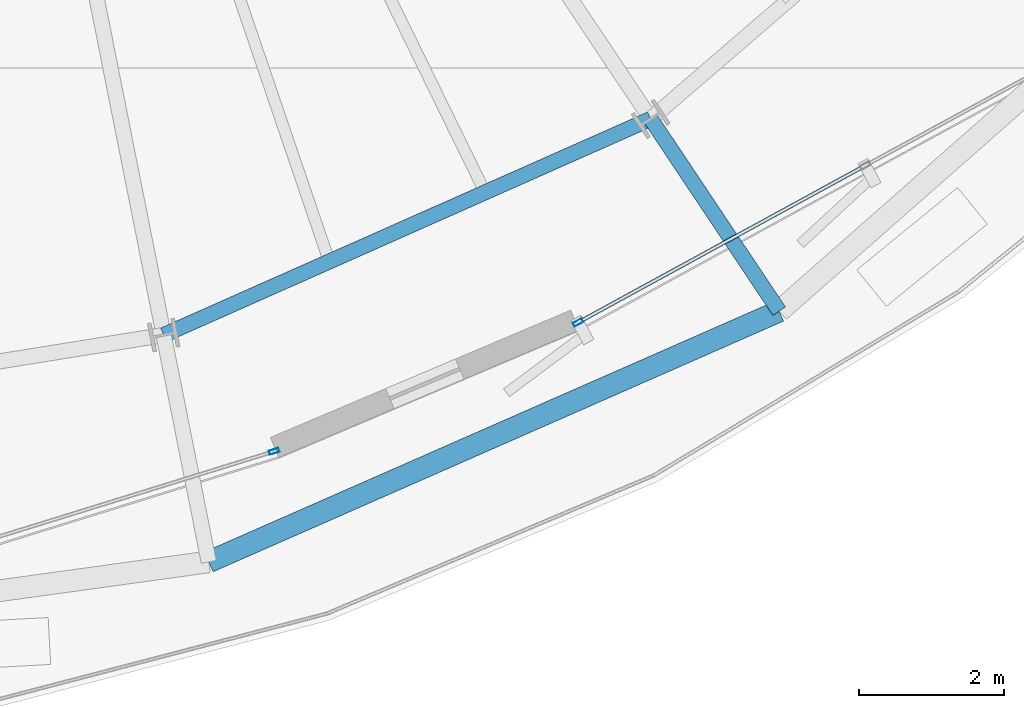
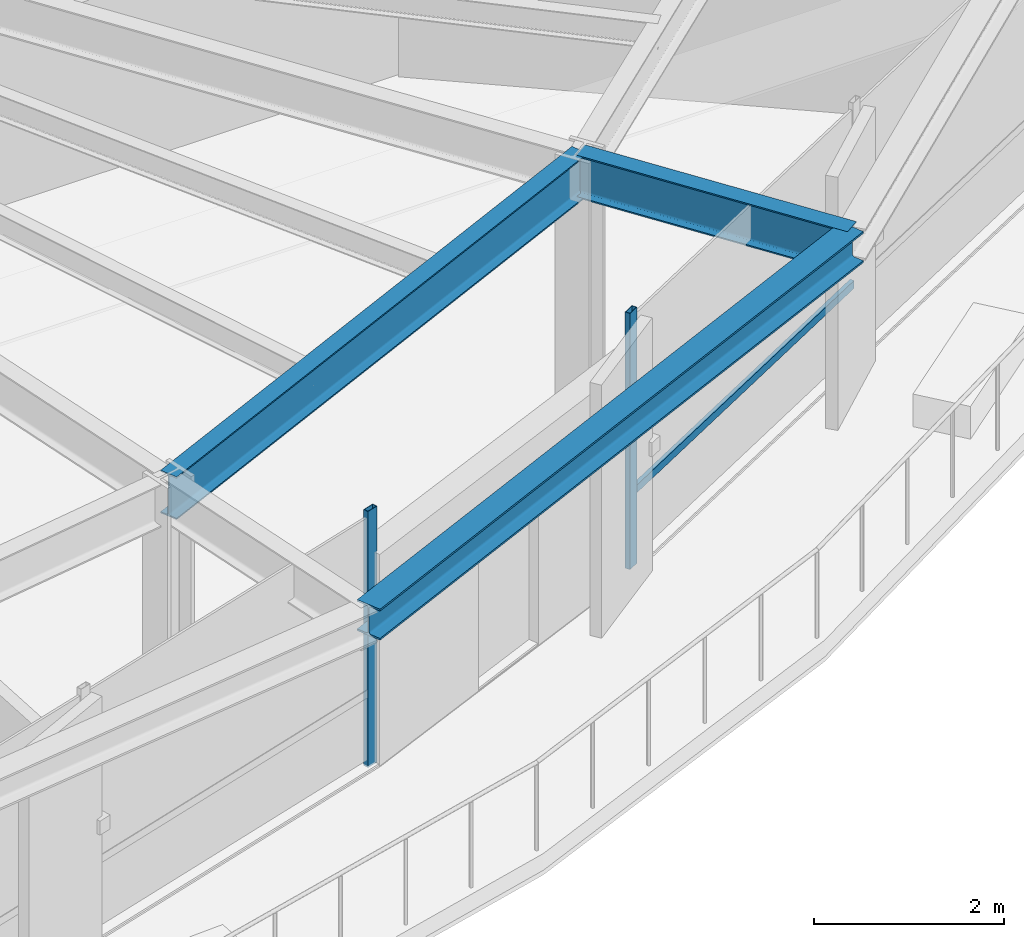
# One storey, part 12 of 36: 3 beams, 3 members, 2 elements without a shape of their own.
"""IFC4 building model written with IfcOpenShell, lengths in metres."""

from ifc_helpers import new_model, si_unit, direction, frame, origin, origin_2d, place, context, subcontext, project, spatial, hollow_rectangle, i_section, extrude, source, transform, mapped, material, layer, layer_set, material_profile, profile_set, type_object, element, aggregate, save


model = new_model("IFC4")

# Units and contexts
model_context = context("Model", 3, precision=1e-05, world=origin(), true_north=direction((0.0, 1.0)))
body_context = subcontext(model_context, "Body", "Model", "MODEL_VIEW")
ifc_project = project(units=[si_unit("LENGTHUNIT", "METRE"), si_unit("AREAUNIT", "SQUARE_METRE"), si_unit("VOLUMEUNIT", "CUBIC_METRE"), si_unit("PLANEANGLEUNIT", "RADIAN"), si_unit("MASSUNIT", "GRAM", prefix="KILO"), si_unit("THERMODYNAMICTEMPERATUREUNIT", "KELVIN")], contexts=[model_context])

# Site, building, storey
site_placement = place(None, origin())
site = spatial("IfcSite", under=ifc_project, at=site_placement, CompositionType="ELEMENT")
building_placement = place(site_placement, origin())
building = spatial("IfcBuilding", under=site, at=building_placement, Name="Kethvar Cultural Tower", CompositionType="ELEMENT")
storey_placement = place(building_placement, frame((0.0, 0.0, 143.0)))
storey = spatial("IfcBuildingStorey", under=building, at=storey_placement, Name="L36", CompositionType="ELEMENT", Elevation=143.0)

# Beams
ifc_material_1 = material(Name="Steel S355J2", Category="steel")
ifc_material_profile_1 = material_profile(ifc_material_1, i_section(OverallWidth=0.2099609375, OverallDepth=0.550048828125, WebThickness=0.010986328125, FlangeThickness=0.01708984375, FilletRadius=0.02392578125, at=origin_2d()), Name="Steel S355J2 — IPE550")
ifc_profile_set_1 = profile_set([ifc_material_profile_1], Name="Steel S355J2 — IPE550")
beam_type_1 = type_object("IfcBeamType", Name="BM-IPE550", PredefinedType="BEAM", material=ifc_profile_set_1)
shared_shape_1 = source(origin(), body_context, "Body", "SweptSolid", [
    extrude(i_section(OverallWidth=0.2099609375, OverallDepth=0.550048828125, WebThickness=0.010986328125, FlangeThickness=0.01708984375, FilletRadius=0.02392578125, at=origin_2d()), origin(), (0.0, 0.0, 1.0), 3.199951171875),
])
beam_1_placement = place(storey_placement, frame((57.241943359375, 12.17236328125, 3.02294921875), z_axis=(0.555580212716, -0.831462943996, 0.0), x_axis=(0.831462943996, 0.555580212716, 0.0)))
element("IfcBeam", 1, at=beam_1_placement, inside=storey, type_object=beam_type_1, Name="L36 Perimeter Cantilever Beam RC-14", PredefinedType="BEAM", context=body_context, shape_type="MappedRepresentation", body=[
    mapped(shared_shape_1, transform((0.0, 0.0, 0.0), scale=1.0)),
])
shared_shape_2 = source(origin(), body_context, "Body", "SweptSolid", [
    extrude(i_section(OverallWidth=0.2099609375, OverallDepth=0.550048828125, WebThickness=0.010986328125, FlangeThickness=0.01708984375, FilletRadius=0.02392578125, at=origin_2d()), origin(), (0.0, 0.0, 1.0), 7.3720703125),
])
beam_2_placement = place(storey_placement, frame((50.50341796875, 9.182373046875, 3.02294921875), z_axis=(0.914058560918, 0.405582232367, 0.0), x_axis=(-0.405582232367, 0.914058560918, 0.0)))
element("IfcBeam", 2, at=beam_2_placement, inside=storey, type_object=beam_type_1, Name="L36 Column Ring Tie Beam CR-13", PredefinedType="BEAM", context=body_context, shape_type="MappedRepresentation", body=[
    mapped(shared_shape_2, transform((0.0, 0.0, 0.0), scale=1.0)),
])
ifc_material_profile_2 = material_profile(ifc_material_1, i_section(OverallWidth=0.300048828125, OverallDepth=0.39990234375, WebThickness=0.013427734375, FlangeThickness=0.02392578125, FilletRadius=0.027099609375, at=origin_2d()), Name="Steel S355J2 — HEB400")
ifc_profile_set_2 = profile_set([ifc_material_profile_2], Name="Steel S355J2 — HEB400")
beam_type_2 = type_object("IfcBeamType", Name="BM-SP400", PredefinedType="SPANDREL", material=ifc_profile_set_2)
shared_shape_3 = source(origin(), body_context, "Body", "SweptSolid", [
    extrude(i_section(OverallWidth=0.300048828125, OverallDepth=0.39990234375, WebThickness=0.013427734375, FlangeThickness=0.02392578125, FilletRadius=0.027099609375, at=origin_2d()), origin(), (0.0, 0.0, 1.0), 8.620361328125),
])
beam_3_placement = place(storey_placement, frame((51.127685546875, 6.043701171875, 3.097900390625), z_axis=(0.915507442902, 0.402301034041, 0.0), x_axis=(-0.402301034041, 0.915507442902, 0.0)))
element("IfcBeam", 3, at=beam_3_placement, inside=storey, type_object=beam_type_2, Name="L36 Perimeter Spandrel Beam SP-13", PredefinedType="SPANDREL", context=body_context, shape_type="MappedRepresentation", body=[
    mapped(shared_shape_3, transform((0.0, 0.0, 0.0), scale=1.0)),
])

# Curtain wall, member
ifc_material_2 = material(Name="Aluminium 6063-T6", Category="aluminium")
ifc_layer = layer(ifc_material_2, 0.179931640625, Name="Aluminium 6063-T6", Category="aluminium")
ifc_layer_set = layer_set([ifc_layer], Name="Aluminium 6063-T6 (180 mm)")
curtain_wall_type = type_object("IfcCurtainWallType", Name="CW-SYS-04-Z34", PredefinedType="NOTDEFINED", material=ifc_layer_set)
curtain_wall_1_placement = place(storey_placement, origin())
curtain_wall_1 = element("IfcCurtainWall", 4, at=curtain_wall_1_placement, inside=storey, type_object=curtain_wall_type, Name="L36 Curtain Wall Run 05", PredefinedType="NOTDEFINED")
ifc_material_profile_3 = material_profile(ifc_material_2, hollow_rectangle(XDim=0.06005859375, YDim=0.139892578125, WallThickness=0.0048828125, at=origin_2d()), Name="Aluminium 6063-T6 — RHS140x60x5")
ifc_profile_set_3 = profile_set([ifc_material_profile_3], Name="Aluminium 6063-T6 — RHS140x60x5")
member_type_1 = type_object("IfcMemberType", Name="CW-SYS-04-Z34-MUL", PredefinedType="MULLION", material=ifc_profile_set_3)
shared_shape_4 = source(origin(), body_context, "Body", "SweptSolid", [
    extrude(hollow_rectangle(XDim=0.06005859375, YDim=0.139892578125, WallThickness=0.0048828125, at=origin_2d()), origin(), (0.0, 0.0, 1.0), 3.300048828125),
])
member_1_placement = place(storey_placement, frame((52.031494140625, 7.57275390625, 0.0), z_axis=(0.0, 0.0, 1.0), x_axis=(-0.296141511153, 0.955144075714, 0.0)))
member_1 = element("IfcMember", 5, at=member_1_placement, type_object=member_type_1, Name="CW-L36-R05 Mullion 3", PredefinedType="MULLION", context=body_context, shape_type="MappedRepresentation", body=[
    mapped(shared_shape_4, transform((0.0, 0.0, 0.0), scale=1.0)),
])
aggregate(curtain_wall_1, [member_1])

# Curtain wall, members
curtain_wall_2_placement = place(storey_placement, origin())
curtain_wall_2 = element("IfcCurtainWall", 6, at=curtain_wall_2_placement, inside=storey, type_object=curtain_wall_type, Name="L36 Curtain Wall Run 06", PredefinedType="NOTDEFINED")
member_2_placement = place(storey_placement, frame((56.23779296875, 9.356201171875, 0.0), z_axis=(0.0, 0.0, 1.0), x_axis=(-0.47942722717, 0.877581639421, 0.0)))
member_2 = element("IfcMember", 7, at=member_2_placement, type_object=member_type_1, Name="CW-L36-R06 Mullion 1", PredefinedType="MULLION", context=body_context, shape_type="MappedRepresentation", body=[
    mapped(shared_shape_4, transform((0.0, 0.0, 0.0), scale=1.0)),
])
ifc_material_profile_4 = material_profile(ifc_material_2, hollow_rectangle(XDim=0.050048828125, YDim=0.10009765625, WallThickness=0.00390625, at=origin_2d()), Name="Aluminium 6063-T6 — RHS100x50x4")
ifc_profile_set_4 = profile_set([ifc_material_profile_4], Name="Aluminium 6063-T6 — RHS100x50x4")
member_type_2 = type_object("IfcMemberType", Name="CW-SYS-04-Z34-TRN", PredefinedType="USERDEFINED", material=ifc_profile_set_4)
shared_shape_5 = source(origin(), body_context, "Body", "SweptSolid", [
    extrude(hollow_rectangle(XDim=0.050048828125, YDim=0.10009765625, WallThickness=0.00390625, at=origin_2d()), origin(), (0.0, 0.0, 1.0), 4.480224609375),
])
member_3_placement = place(storey_placement, frame((56.241455078125, 9.358154296875, 0.949951171875), z_axis=(0.87757465853, 0.479440005325, 0.0), x_axis=(-0.479440005325, 0.87757465853, 0.0)))
member_3 = element("IfcMember", 8, at=member_3_placement, type_object=member_type_2, Name="CW-L36-R06 Transom 1", ObjectType="TRANSOM", PredefinedType="USERDEFINED", context=body_context, shape_type="MappedRepresentation", body=[
    mapped(shared_shape_5, transform((0.0, 0.0, 0.0), scale=1.0)),
])
aggregate(curtain_wall_2, [member_2, member_3])

save(model, "model.ifc")
